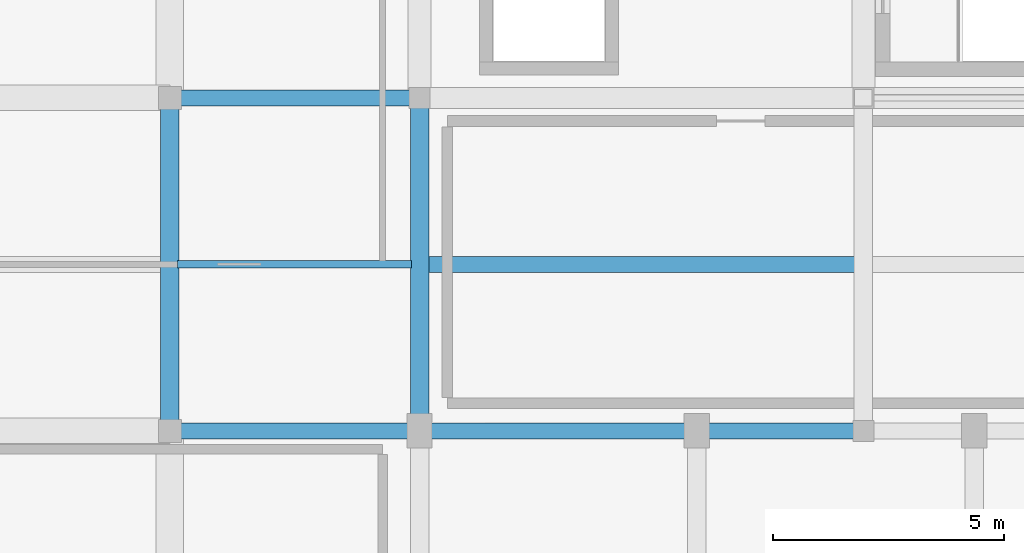
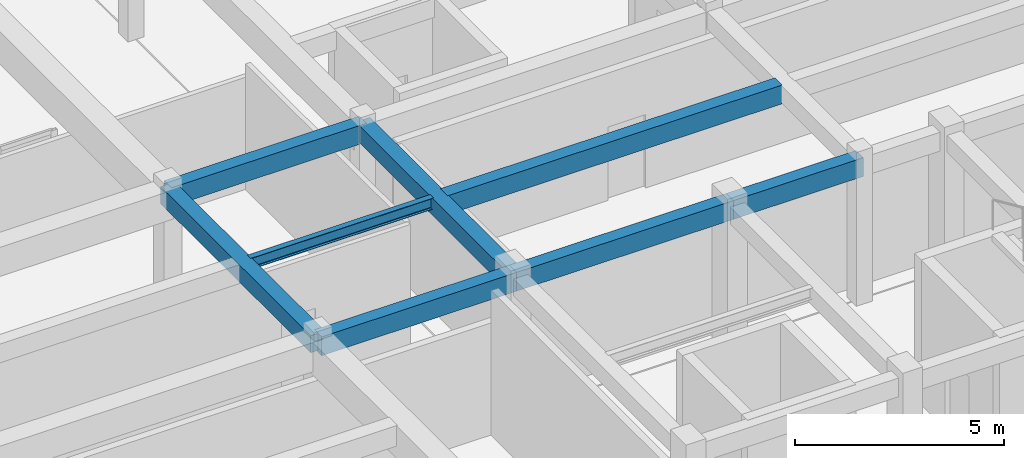
# One storey, part 44 of 91: 8 beams.
"""IFC4 building model written with IfcOpenShell, lengths in metres."""

from ifc_helpers import new_model, si_unit, direction, frame, origin, origin_2d, place, context, subcontext, project, spatial, rectangle, i_section, extrude, material, material_profile, profile_set, type_object, element, save


model = new_model("IFC4")

# Units and contexts
model_context = context("Model", 3, precision=1e-05, world=origin(), true_north=direction((0.0, 1.0)))
body_context = subcontext(model_context, "Body", "Model", "MODEL_VIEW")
ifc_project = project(units=[si_unit("LENGTHUNIT", "METRE"), si_unit("AREAUNIT", "SQUARE_METRE"), si_unit("VOLUMEUNIT", "CUBIC_METRE"), si_unit("PLANEANGLEUNIT", "RADIAN"), si_unit("MASSUNIT", "GRAM", prefix="KILO")], contexts=[model_context])

# Site, building, storey
site_placement = place(None, origin())
site = spatial("IfcSite", under=ifc_project, at=site_placement, CompositionType="ELEMENT")
building_placement = place(site_placement, origin())
building = spatial("IfcBuilding", under=site, at=building_placement, Name="Tarnavel Promenade Courthouse", CompositionType="ELEMENT")
storey_placement = place(building_placement, frame((0.0, 0.0, 9.89990234375)))
storey = spatial("IfcBuildingStorey", under=building, at=storey_placement, Name="L03", CompositionType="ELEMENT", Elevation=9.89990234375)

# Beams
ifc_material_1 = material(Name="Concrete C40/50", Category="concrete")
ifc_material_profile_1 = material_profile(ifc_material_1, rectangle(XDim=0.35009765625, YDim=0.550048828125, at=origin_2d()), Name="PT 350x550")
ifc_profile_set_1 = profile_set([ifc_material_profile_1], Name="Concrete C40/50")
beam_type_1 = type_object("IfcBeamType", Name="Concrete C40/50 BM-PT-350x550 (PT 350x550)", PredefinedType="JOIST", material=ifc_profile_set_1)
beam_1_placement = place(storey_placement, frame((120.169921875, 70.800048828125, 3.97021484375), z_axis=(1.0, 0.0, 0.0), x_axis=(0.0, 1.0, 0.0)))
element("IfcBeam", 1, at=beam_1_placement, inside=storey, type_object=beam_type_1, Name="L03 Secondary Floor Rib 1860", PredefinedType="JOIST", context=body_context, shape_type="SweptSolid", body=[
    extrude(rectangle(XDim=0.35009765625, YDim=0.550048828125, at=origin_2d()), origin(), (0.0, 0.0, 1.0), 9.260009765625),
])
ifc_material_profile_2 = material_profile(ifc_material_1, rectangle(XDim=0.35009765625, YDim=0.550048828125, at=origin_2d()), Name="RC 350x550")
ifc_profile_set_2 = profile_set([ifc_material_profile_2], Name="Concrete C40/50")
beam_type_2 = type_object("IfcBeamType", Name="Concrete C40/50 BM-RC-350x550 (RC 350x550)", PredefinedType="BEAM", material=ifc_profile_set_2)
beam_2_placement = place(storey_placement, frame((114.60009765625, 67.199951171875, 3.97021484375), z_axis=(1.0, 0.0, 0.0), x_axis=(0.0, 1.0, 0.0)))
element("IfcBeam", 2, at=beam_2_placement, inside=storey, type_object=beam_type_2, Name="L03 Primary Longitudinal Beam 1600", PredefinedType="BEAM", context=body_context, shape_type="SweptSolid", body=[
    extrude(rectangle(XDim=0.35009765625, YDim=0.550048828125, at=origin_2d()), origin(), (0.0, 0.0, 1.0), 5.39990234375),
])
beam_3_placement = place(storey_placement, frame((120.0, 67.199951171875, 3.97021484375), z_axis=(1.0, 0.0, 0.0), x_axis=(0.0, 1.0, 0.0)))
element("IfcBeam", 3, at=beam_3_placement, inside=storey, type_object=beam_type_2, Name="L03 Primary Longitudinal Beam 1601", PredefinedType="BEAM", context=body_context, shape_type="SweptSolid", body=[
    extrude(rectangle(XDim=0.35009765625, YDim=0.550048828125, at=origin_2d()), origin(), (0.0, 0.0, 1.0), 6.0),
])
beam_4_placement = place(storey_placement, frame((126.0, 67.199951171875, 3.97021484375), z_axis=(1.0, 0.0, 0.0), x_axis=(0.0, 1.0, 0.0)))
element("IfcBeam", 4, at=beam_4_placement, inside=storey, type_object=beam_type_2, Name="L03 Primary Longitudinal Beam 1602", PredefinedType="BEAM", context=body_context, shape_type="SweptSolid", body=[
    extrude(rectangle(XDim=0.35009765625, YDim=0.550048828125, at=origin_2d()), origin(), (0.0, 0.0, 1.0), 3.60009765625),
])
beam_5_placement = place(storey_placement, frame((114.60009765625, 74.39990234375, 3.97021484375), z_axis=(1.0, 0.0, 0.0), x_axis=(0.0, 1.0, 0.0)))
element("IfcBeam", 5, at=beam_5_placement, inside=storey, type_object=beam_type_2, Name="L03 Primary Longitudinal Beam 1623", PredefinedType="BEAM", context=body_context, shape_type="SweptSolid", body=[
    extrude(rectangle(XDim=0.35009765625, YDim=0.550048828125, at=origin_2d()), origin(), (0.0, 0.0, 1.0), 5.39990234375),
])
ifc_material_profile_3 = material_profile(ifc_material_1, rectangle(XDim=0.39990234375, YDim=0.5, at=origin_2d()), Name="RC 400x500")
ifc_profile_set_3 = profile_set([ifc_material_profile_3], Name="Concrete C40/50")
beam_type_3 = type_object("IfcBeamType", Name="Concrete C40/50 BM-RC-400x500 (RC 400x500)", PredefinedType="BEAM", material=ifc_profile_set_3)
for number, where, z_axis, x_axis, name in (
    (6, (114.60009765625, 67.199951171875, 3.9951171875), (0.0, 1.0, 0.0), (-1.0, 0.0, 0.0), "L03 Transverse Girder 1778"),
    (7, (120.0, 67.199951171875, 3.9951171875), (0.0, 1.0, 0.0), (-1.0, 0.0, 0.0), "L03 Transverse Girder 1782"),
):
    element("IfcBeam", number, at=place(storey_placement, frame(where, z_axis=z_axis, x_axis=x_axis)), inside=storey, type_object=beam_type_3, Name=name, PredefinedType="BEAM", context=body_context, shape_type="SweptSolid", body=[
        extrude(rectangle(XDim=0.39990234375, YDim=0.5, at=origin_2d()), origin(), (0.0, 0.0, 1.0), 7.199951171875),
    ])
ifc_material_2 = material(Name="Steel S355J2", Category="steel")
ifc_material_profile_4 = material_profile(ifc_material_2, i_section(OverallWidth=0.159912109375, OverallDepth=0.330078125, WebThickness=0.007568359375, FlangeThickness=0.011474609375, FilletRadius=0.01806640625, at=origin_2d()), Name="IPE 330")
ifc_profile_set_4 = profile_set([ifc_material_profile_4], Name="Steel S355J2")
beam_type_4 = type_object("IfcBeamType", Name="Steel S355J2 BM-ST-IPE330 (IPE 330)", PredefinedType="JOIST", material=ifc_profile_set_4)
beam_6_placement = place(storey_placement, frame((114.77001953125, 70.800048828125, 4.080078125), z_axis=(1.0, 0.0, 0.0), x_axis=(0.0, 1.0, 0.0)))
element("IfcBeam", 8, at=beam_6_placement, inside=storey, type_object=beam_type_4, Name="L03 Secondary Floor Rib 1859", PredefinedType="JOIST", context=body_context, shape_type="SweptSolid", body=[
    extrude(i_section(OverallWidth=0.159912109375, OverallDepth=0.330078125, WebThickness=0.007568359375, FlangeThickness=0.011474609375, FilletRadius=0.01806640625, at=origin_2d()), origin(), (0.0, 0.0, 1.0), 5.06005859375),
])

save(model, "model.ifc")
